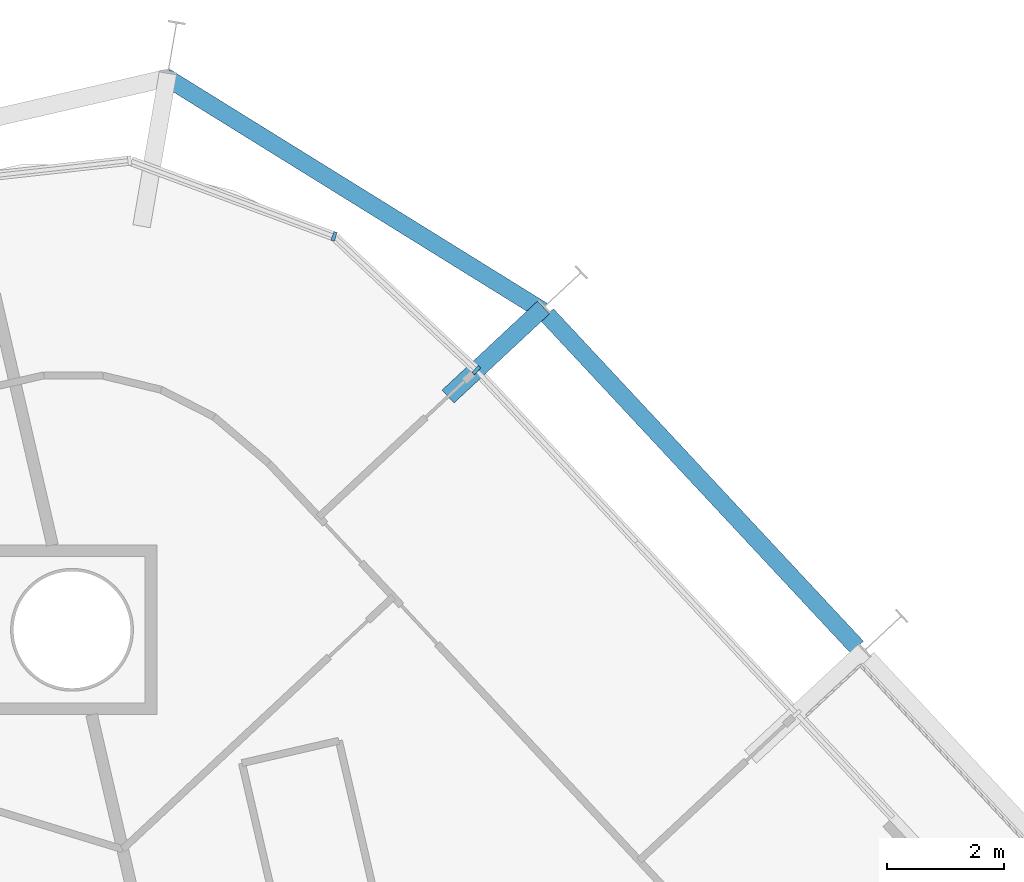
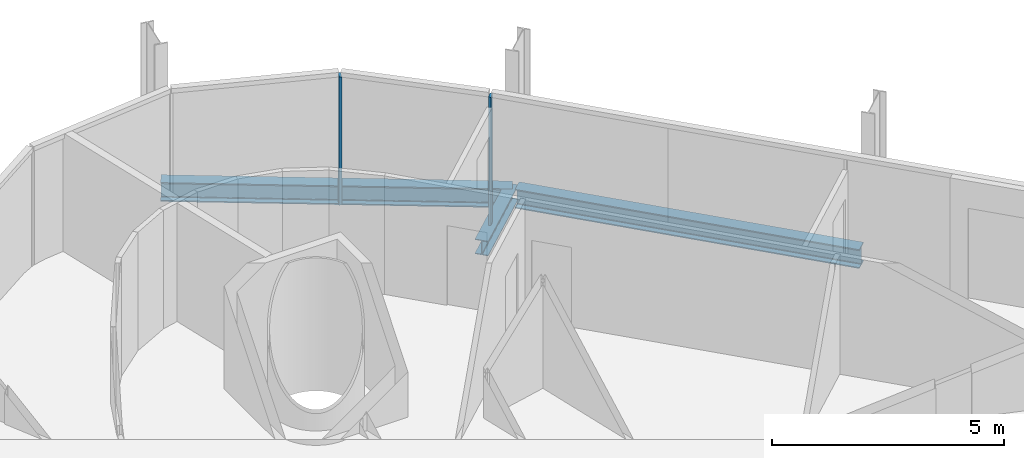
# One storey, part 8 of 18: 3 beams, 2 members, 1 element without a shape of its own.
"""IFC4 building model written with IfcOpenShell, lengths in metres."""

from ifc_helpers import new_model, si_unit, direction, frame, origin, origin_2d, place, context, subcontext, project, spatial, rectangle, i_section, extrude, material, layer, layer_set, material_profile, profile_set, type_object, element, aggregate, save


model = new_model("IFC4")

# Units and contexts
model_context = context("Model", 3, precision=1e-05, world=origin(), true_north=direction((0.0, 1.0)))
body_context = subcontext(model_context, "Body", "Model", "MODEL_VIEW")
ifc_project = project(units=[si_unit("LENGTHUNIT", "METRE"), si_unit("AREAUNIT", "SQUARE_METRE"), si_unit("VOLUMEUNIT", "CUBIC_METRE"), si_unit("PLANEANGLEUNIT", "RADIAN"), si_unit("MASSUNIT", "GRAM", prefix="KILO")], contexts=[model_context])

# Site, building, storey
site_placement = place(None, origin())
site = spatial("IfcSite", under=ifc_project, at=site_placement, CompositionType="ELEMENT")
building_placement = place(site_placement, origin())
building = spatial("IfcBuilding", under=site, at=building_placement, Name="Spindle Arch Residences", CompositionType="ELEMENT")
storey_placement = place(building_placement, frame((0.0, 0.0, 116.89990234375)))
storey = spatial("IfcBuildingStorey", under=building, at=storey_placement, Name="L28", CompositionType="ELEMENT", Elevation=116.89990234375)

# Curtain wall, members
ifc_material_1 = material(Name="Aluminium bronze unitised frame with tinted glass", Category="aluminium")
ifc_layer = layer(ifc_material_1, 0.159912109375)
ifc_layer_set = layer_set([ifc_layer], Name="CW-D corner wall on the fillet arcs")
curtain_wall_type = type_object("IfcCurtainWallType", Name="CW-D corner wall on the fillet arcs", PredefinedType="NOTDEFINED", material=ifc_layer_set)
curtain_wall_placement = place(storey_placement, origin())
curtain_wall = element("IfcCurtainWall", 1, at=curtain_wall_placement, inside=storey, type_object=curtain_wall_type, Name="CW-D L28 run 3", PredefinedType="NOTDEFINED")
ifc_material_2 = material(Name="Aluminium bronze anodised mullion", Category="aluminium")
ifc_material_profile_1 = material_profile(ifc_material_2, rectangle(XDim=0.159912109375, YDim=0.06005859375, at=origin_2d()), Name="MU 60x160")
ifc_profile_set_1 = profile_set([ifc_material_profile_1], Name="Aluminium bronze anodised mullion")
member_type = type_object("IfcMemberType", Name="Bronze mullion 60x160", PredefinedType="MULLION", material=ifc_profile_set_1)
member_1_placement = place(storey_placement, frame((2.010009765625, 25.6611328125, -0.3798828125), z_axis=(0.0, 0.0, 1.0), x_axis=(-0.685289870681, -0.728270412102, 0.0)))
member_1 = element("IfcMember", 2, at=member_1_placement, type_object=member_type, Name="CW-D mullion 00", PredefinedType="MULLION", context=body_context, shape_type="SweptSolid", body=[
    extrude(rectangle(XDim=0.159912109375, YDim=0.06005859375, at=origin_2d()), origin(), (0.0, 0.0, 1.0), 3.3798828125),
])
member_2_placement = place(storey_placement, frame((-0.420654296875, 27.9482421875, -0.3798828125), z_axis=(0.0, 0.0, 1.0), x_axis=(-0.347481235896, -0.937686936403, 0.0)))
member_2 = element("IfcMember", 3, at=member_2_placement, type_object=member_type, Name="CW-D mullion 01", PredefinedType="MULLION", context=body_context, shape_type="SweptSolid", body=[
    extrude(rectangle(XDim=0.159912109375, YDim=0.06005859375, at=origin_2d()), origin(), (0.0, 0.0, 1.0), 3.3798828125),
])
aggregate(curtain_wall, [member_1, member_2])

# Beams
ifc_material_3 = material(Name="Steel S460ML, intumescent coating R 120", Category="steel")
ifc_material_profile_2 = material_profile(ifc_material_3, i_section(OverallWidth=0.300048828125, OverallDepth=0.5, WebThickness=0.014404296875, FlangeThickness=0.028076171875, FilletRadius=0.027099609375, at=origin_2d()), Name="HEB 500")
ifc_profile_set_2 = profile_set([ifc_material_profile_2], Name="Steel S460ML, intumescent coating R 120")
beam_type_1 = type_object("IfcBeamType", Name="Exoskeleton edge beam HEB 500", PredefinedType="BEAM", material=ifc_profile_set_2)
beam_1_placement = place(storey_placement, frame((8.51611328125, 20.927490234375, -0.6298828125), z_axis=(-0.681975565737, 0.731374957007, 0.0), x_axis=(-0.731374957007, -0.681975565737, 0.0)))
element("IfcBeam", 4, at=beam_1_placement, inside=storey, type_object=beam_type_1, Name="Exoskeleton edge beam 9", PredefinedType="BEAM", context=body_context, shape_type="SweptSolid", body=[
    extrude(i_section(OverallWidth=0.300048828125, OverallDepth=0.5, WebThickness=0.014404296875, FlangeThickness=0.028076171875, FilletRadius=0.027099609375, at=origin_2d()), origin(), (0.0, 0.0, 1.0), 7.76904296875),
])
beam_2_placement = place(storey_placement, frame((3.14404296875, 26.67626953125, -0.6298828125), z_axis=(-0.849846805049, 0.52702979797, 0.0), x_axis=(-0.52702979797, -0.849846805049, 0.0)))
element("IfcBeam", 5, at=beam_2_placement, inside=storey, type_object=beam_type_1, Name="Exoskeleton edge beam 10", PredefinedType="BEAM", context=body_context, shape_type="SweptSolid", body=[
    extrude(i_section(OverallWidth=0.300048828125, OverallDepth=0.5, WebThickness=0.014404296875, FlangeThickness=0.028076171875, FilletRadius=0.027099609375, at=origin_2d()), origin(), (0.0, 0.0, 1.0), 7.591552734375),
])
ifc_material_4 = material(Name="Steel S460ML, intumescent coating R 120", Category="steel")
ifc_material_profile_3 = material_profile(ifc_material_4, i_section(OverallWidth=0.300048828125, OverallDepth=0.389892578125, WebThickness=0.010986328125, FlangeThickness=0.01904296875, FilletRadius=0.027099609375, at=origin_2d()), Name="HEA 400")
ifc_profile_set_3 = profile_set([ifc_material_profile_3], Name="Steel S460ML, intumescent coating R 120")
beam_type_2 = type_object("IfcBeamType", Name="Floor outrigger HEA 400", PredefinedType="BEAM", material=ifc_profile_set_3)
beam_3_placement = place(storey_placement, frame((3.158203125, 26.73193359375, -0.574951171875), z_axis=(-0.73130638013, -0.682049102618, 0.0), x_axis=(0.682049102618, -0.73130638013, 0.0)))
element("IfcBeam", 6, at=beam_3_placement, inside=storey, type_object=beam_type_2, Name="Floor outrigger 10", PredefinedType="BEAM", context=body_context, shape_type="SweptSolid", body=[
    extrude(i_section(OverallWidth=0.300048828125, OverallDepth=0.389892578125, WebThickness=0.010986328125, FlangeThickness=0.01904296875, FilletRadius=0.027099609375, at=origin_2d()), origin(), (0.0, 0.0, 1.0), 2.23046875),
])

save(model, "model.ifc")
